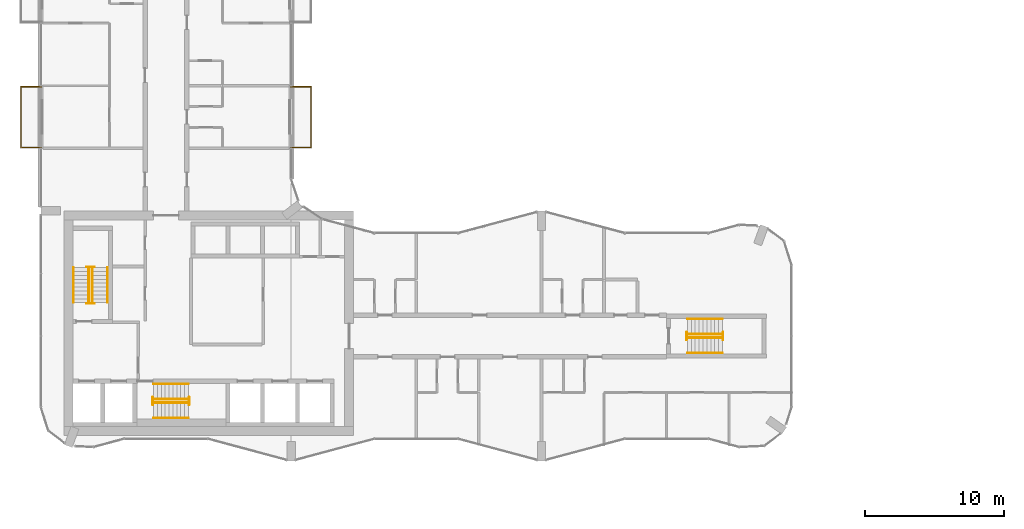
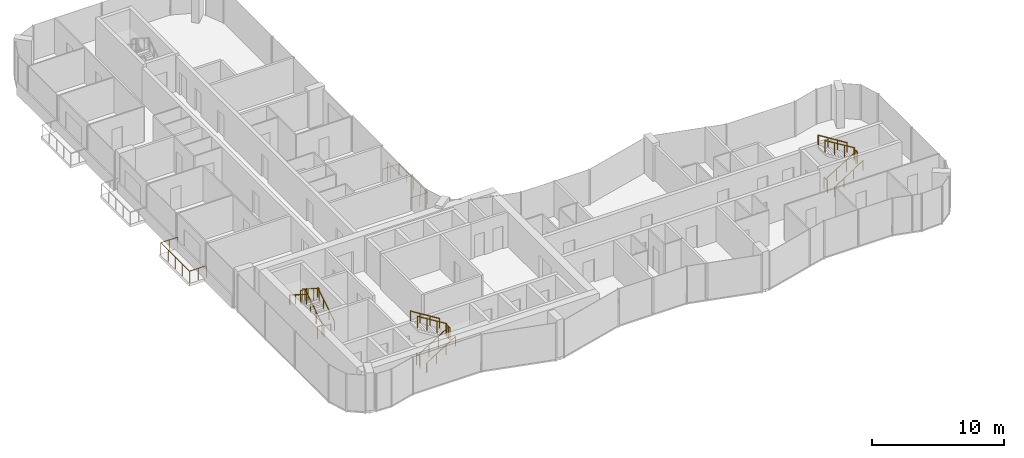
# One storey, part 20 of 22: 20 railings.
"""IFC4 building model written with IfcOpenShell, lengths in metres."""

from ifc_helpers import new_model, si_unit, direction, frame, origin, origin_2d, place, context, subcontext, project, spatial, circle, extrude, material, type_object, element, save


model = new_model("IFC4")

# Units and contexts
model_context = context("Model", 3, precision=1e-05, world=origin(), true_north=direction((0.0, 1.0)))
body_context = subcontext(model_context, "Body", "Model", "MODEL_VIEW")
ifc_project = project(units=[si_unit("LENGTHUNIT", "METRE"), si_unit("AREAUNIT", "SQUARE_METRE"), si_unit("VOLUMEUNIT", "CUBIC_METRE"), si_unit("PLANEANGLEUNIT", "RADIAN"), si_unit("MASSUNIT", "GRAM", prefix="KILO")], contexts=[model_context])

# Site, building, storey
site_placement = place(None, origin())
site = spatial("IfcSite", under=ifc_project, at=site_placement, CompositionType="ELEMENT")
building_placement = place(site_placement, origin())
building = spatial("IfcBuilding", under=site, at=building_placement, Name="Plateau Cross Towers", CompositionType="ELEMENT")
storey_placement = place(building_placement, frame((0.0, 0.0, 116.800048828125)))
storey = spatial("IfcBuildingStorey", under=building, at=storey_placement, Name="L30", CompositionType="ELEMENT", Elevation=116.800048828125)

# Railings
ifc_material_1 = material(Name="Stainless steel and toughened glass", Category="steel")
railing_type_1 = type_object("IfcRailingType", Name="Glass balustrade guard 1100", PredefinedType="GUARDRAIL", material=ifc_material_1)
railing_1_placement = place(storey_placement, frame((0.050048828125, 22.570068359375, 0.0)))
element("IfcRailing", 1, at=railing_1_placement, inside=storey, type_object=railing_type_1, Name="Guard guard1", PredefinedType="GUARDRAIL", context=body_context, shape_type="SweptSolid", body=[
    extrude(circle(Radius=0.02392578125, at=origin_2d()), frame((0.0, 0.0, 1.076171875), z_axis=(-1.0, 0.0, 0.0), x_axis=(0.0, -1.0, 0.0)), (0.0, 0.0, 1.0), 1.47998046875),
    extrude(circle(Radius=0.02392578125, at=origin_2d()), frame((-1.47998046875, 0.0, 1.076171875), z_axis=(0.0, 1.0, 0.0), x_axis=(-1.0, 0.0, 0.0)), (0.0, 0.0, 1.0), 4.35986328125),
    extrude(circle(Radius=0.02392578125, at=origin_2d()), frame((-1.47998046875, 4.35986328125, 1.076171875), z_axis=(1.0, 0.0, 0.0), x_axis=(0.0, 1.0, 0.0)), (0.0, 0.0, 1.0), 1.47998046875),
    extrude(circle(Radius=0.02099609375, at=origin_2d()), origin(), (0.0, 0.0, 1.0), 1.052001953125),
    extrude(circle(Radius=0.02099609375, at=origin_2d()), frame((-0.739990234375, 0.0, 0.0)), (0.0, 0.0, 1.0), 1.052001953125),
    extrude(circle(Radius=0.02099609375, at=origin_2d()), frame((-1.47998046875, 0.0, 0.0)), (0.0, 0.0, 1.0), 1.052001953125),
    extrude(circle(Radius=0.02099609375, at=origin_2d()), frame((-1.47998046875, 1.08984375, 0.0)), (0.0, 0.0, 1.0), 1.052001953125),
    extrude(circle(Radius=0.02099609375, at=origin_2d()), frame((-1.47998046875, 2.179931640625, 0.0)), (0.0, 0.0, 1.0), 1.052001953125),
    extrude(circle(Radius=0.02099609375, at=origin_2d()), frame((-1.47998046875, 3.27001953125, 0.0)), (0.0, 0.0, 1.0), 1.052001953125),
    extrude(circle(Radius=0.02099609375, at=origin_2d()), frame((-1.47998046875, 4.35986328125, 0.0)), (0.0, 0.0, 1.0), 1.052001953125),
    extrude(circle(Radius=0.02099609375, at=origin_2d()), frame((-0.739990234375, 4.35986328125, 0.0)), (0.0, 0.0, 1.0), 1.052001953125),
    extrude(circle(Radius=0.02099609375, at=origin_2d()), frame((0.0, 4.35986328125, 0.0)), (0.0, 0.0, 1.0), 1.052001953125),
])
railing_2_placement = place(storey_placement, frame((17.949951171875, 26.929931640625, 0.0)))
element("IfcRailing", 2, at=railing_2_placement, inside=storey, type_object=railing_type_1, Name="Guard guard1", PredefinedType="GUARDRAIL", context=body_context, shape_type="SweptSolid", body=[
    extrude(circle(Radius=0.02392578125, at=origin_2d()), frame((0.0, 0.0, 1.076171875), z_axis=(1.0, 0.0, 0.0), x_axis=(0.0, 1.0, 0.0)), (0.0, 0.0, 1.0), 1.47998046875),
    extrude(circle(Radius=0.02392578125, at=origin_2d()), frame((1.47998046875, 0.0, 1.076171875), z_axis=(0.0, -1.0, 0.0), x_axis=(1.0, 0.0, 0.0)), (0.0, 0.0, 1.0), 4.35986328125),
    extrude(circle(Radius=0.02392578125, at=origin_2d()), frame((1.47998046875, -4.35986328125, 1.076171875), z_axis=(-1.0, 0.0, 0.0), x_axis=(0.0, -1.0, 0.0)), (0.0, 0.0, 1.0), 1.47998046875),
    extrude(circle(Radius=0.02099609375, at=origin_2d()), origin(), (0.0, 0.0, 1.0), 1.052001953125),
    extrude(circle(Radius=0.02099609375, at=origin_2d()), frame((0.739990234375, 0.0, 0.0)), (0.0, 0.0, 1.0), 1.052001953125),
    extrude(circle(Radius=0.02099609375, at=origin_2d()), frame((1.47998046875, 0.0, 0.0)), (0.0, 0.0, 1.0), 1.052001953125),
    extrude(circle(Radius=0.02099609375, at=origin_2d()), frame((1.47998046875, -1.08984375, 0.0)), (0.0, 0.0, 1.0), 1.052001953125),
    extrude(circle(Radius=0.02099609375, at=origin_2d()), frame((1.47998046875, -2.179931640625, 0.0)), (0.0, 0.0, 1.0), 1.052001953125),
    extrude(circle(Radius=0.02099609375, at=origin_2d()), frame((1.47998046875, -3.27001953125, 0.0)), (0.0, 0.0, 1.0), 1.052001953125),
    extrude(circle(Radius=0.02099609375, at=origin_2d()), frame((1.47998046875, -4.35986328125, 0.0)), (0.0, 0.0, 1.0), 1.052001953125),
    extrude(circle(Radius=0.02099609375, at=origin_2d()), frame((0.739990234375, -4.35986328125, 0.0)), (0.0, 0.0, 1.0), 1.052001953125),
    extrude(circle(Radius=0.02099609375, at=origin_2d()), frame((0.0, -4.35986328125, 0.0)), (0.0, 0.0, 1.0), 1.052001953125),
])
railing_type_2 = type_object("IfcRailingType", Name="RL-GUARD-1100", PredefinedType="GUARDRAIL", material=ifc_material_1)
railing_3_placement = place(storey_placement, frame((3.699951171875, 11.39990234375, 0.175048828125)))
element("IfcRailing", 3, at=railing_3_placement, inside=storey, type_object=railing_type_2, Name="L30 ST-1 stair guard 1", PredefinedType="GUARDRAIL", context=body_context, shape_type="SweptSolid", body=[
    extrude(circle(Radius=0.02392578125, at=origin_2d()), frame((0.0, 0.0, 1.076171875), z_axis=(0.0, 0.848007534815, 0.529984170421), x_axis=(-1.0, 0.0, 0.0)), (0.0, 0.0, 1.0), 2.9716796875),
    extrude(circle(Radius=0.02099609375, at=origin_2d()), origin(), (0.0, 0.0, 1.0), 1.052001953125),
    extrude(circle(Radius=0.02099609375, at=origin_2d()), frame((0.0, 0.840087890625, 0.52490234375)), (0.0, 0.0, 1.0), 1.052001953125),
    extrude(circle(Radius=0.02099609375, at=origin_2d()), frame((0.0, 1.679931640625, 1.050048828125)), (0.0, 0.0, 1.0), 1.052001953125),
    extrude(circle(Radius=0.02099609375, at=origin_2d()), frame((0.0, 2.52001953125, 1.574951171875)), (0.0, 0.0, 1.0), 1.052001953125),
])
railing_4_placement = place(storey_placement, frame((3.85009765625, 13.969970703125, 1.75)))
element("IfcRailing", 4, at=railing_4_placement, inside=storey, type_object=railing_type_2, Name="L30 ST-1 stair guard 2", PredefinedType="GUARDRAIL", context=body_context, shape_type="SweptSolid", body=[
    extrude(circle(Radius=0.02392578125, at=origin_2d()), frame((0.0, 0.0, 1.076171875), z_axis=(-1.0, 0.0, 0.0), x_axis=(0.0, -1.0, 0.0)), (0.0, 0.0, 1.0), 0.550048828125),
    extrude(circle(Radius=0.02099609375, at=origin_2d()), origin(), (0.0, 0.0, 1.0), 1.052001953125),
    extrude(circle(Radius=0.02099609375, at=origin_2d()), frame((-0.550048828125, 0.0, 0.0)), (0.0, 0.0, 1.0), 1.052001953125),
])
railing_5_placement = place(storey_placement, frame((3.449951171875, 13.919921875, 1.925048828125)))
element("IfcRailing", 5, at=railing_5_placement, inside=storey, type_object=railing_type_2, Name="L30 ST-1 stair guard 3", PredefinedType="GUARDRAIL", context=body_context, shape_type="SweptSolid", body=[
    extrude(circle(Radius=0.02392578125, at=origin_2d()), frame((0.0, 0.0, 1.076171875), z_axis=(0.0, -0.852616386126, 0.522537365276), x_axis=(1.0, 0.0, 0.0)), (0.0, 0.0, 1.0), 3.01416015625),
    extrude(circle(Radius=0.02099609375, at=origin_2d()), origin(), (0.0, 0.0, 1.0), 1.052001953125),
    extrude(circle(Radius=0.02099609375, at=origin_2d()), frame((0.0, -0.856689453125, 0.52490234375)), (0.0, 0.0, 1.0), 1.052001953125),
    extrude(circle(Radius=0.02099609375, at=origin_2d()), frame((0.0, -1.713134765625, 1.050048828125)), (0.0, 0.0, 1.0), 1.052001953125),
    extrude(circle(Radius=0.02099609375, at=origin_2d()), frame((0.0, -2.56982421875, 1.574951171875)), (0.0, 0.0, 1.0), 1.052001953125),
])
railing_6_placement = place(storey_placement, frame((3.85009765625, 11.35009765625, 0.0)))
element("IfcRailing", 6, at=railing_6_placement, inside=storey, type_object=railing_type_2, Name="L30 ST-1 stair guard 4", PredefinedType="GUARDRAIL", context=body_context, shape_type="SweptSolid", body=[
    extrude(circle(Radius=0.02392578125, at=origin_2d()), frame((0.0, 0.0, 1.076171875), z_axis=(-1.0, 0.0, 0.0), x_axis=(0.0, -1.0, 0.0)), (0.0, 0.0, 1.0), 0.550048828125),
    extrude(circle(Radius=0.02099609375, at=origin_2d()), origin(), (0.0, 0.0, 1.0), 1.052001953125),
    extrude(circle(Radius=0.02099609375, at=origin_2d()), frame((-0.550048828125, 0.0, 0.0)), (0.0, 0.0, 1.0), 1.052001953125),
])
railing_7_placement = place(storey_placement, frame((8.10009765625, 4.199951171875, 0.175048828125)))
element("IfcRailing", 7, at=railing_7_placement, inside=storey, type_object=railing_type_2, Name="L30 ST-2 stair guard 1", PredefinedType="GUARDRAIL", context=body_context, shape_type="SweptSolid", body=[
    extrude(circle(Radius=0.02392578125, at=origin_2d()), frame((0.0, 0.0, 1.076171875), z_axis=(0.848007534815, 0.0, 0.529984170421), x_axis=(0.0, 1.0, 0.0)), (0.0, 0.0, 1.0), 2.9716796875),
    extrude(circle(Radius=0.02099609375, at=origin_2d()), origin(), (0.0, 0.0, 1.0), 1.052001953125),
    extrude(circle(Radius=0.02099609375, at=origin_2d()), frame((0.840087890625, 0.0, 0.52490234375)), (0.0, 0.0, 1.0), 1.052001953125),
    extrude(circle(Radius=0.02099609375, at=origin_2d()), frame((1.679931640625, 0.0, 1.050048828125)), (0.0, 0.0, 1.0), 1.052001953125),
    extrude(circle(Radius=0.02099609375, at=origin_2d()), frame((2.52001953125, 0.0, 1.574951171875)), (0.0, 0.0, 1.0), 1.052001953125),
])
railing_8_placement = place(storey_placement, frame((10.669921875, 4.050048828125, 1.75)))
element("IfcRailing", 8, at=railing_8_placement, inside=storey, type_object=railing_type_2, Name="L30 ST-2 stair guard 2", PredefinedType="GUARDRAIL", context=body_context, shape_type="SweptSolid", body=[
    extrude(circle(Radius=0.02392578125, at=origin_2d()), frame((0.0, 0.0, 1.076171875), z_axis=(0.0, 1.0, 0.0), x_axis=(-1.0, 0.0, 0.0)), (0.0, 0.0, 1.0), 0.550048828125),
    extrude(circle(Radius=0.02099609375, at=origin_2d()), origin(), (0.0, 0.0, 1.0), 1.052001953125),
    extrude(circle(Radius=0.02099609375, at=origin_2d()), frame((0.0, 0.550048828125, 0.0)), (0.0, 0.0, 1.0), 1.052001953125),
])
railing_9_placement = place(storey_placement, frame((10.6201171875, 4.449951171875, 1.925048828125)))
element("IfcRailing", 9, at=railing_9_placement, inside=storey, type_object=railing_type_2, Name="L30 ST-2 stair guard 3", PredefinedType="GUARDRAIL", context=body_context, shape_type="SweptSolid", body=[
    extrude(circle(Radius=0.02392578125, at=origin_2d()), frame((0.0, 0.0, 1.076171875), z_axis=(-0.852638500773, 0.0, 0.522501279423), x_axis=(0.0, -1.0, 0.0)), (0.0, 0.0, 1.0), 3.01416015625),
    extrude(circle(Radius=0.02099609375, at=origin_2d()), origin(), (0.0, 0.0, 1.0), 1.052001953125),
    extrude(circle(Radius=0.02099609375, at=origin_2d()), frame((-0.856689453125, 0.0, 0.52490234375)), (0.0, 0.0, 1.0), 1.052001953125),
    extrude(circle(Radius=0.02099609375, at=origin_2d()), frame((-1.71337890625, 0.0, 1.050048828125)), (0.0, 0.0, 1.0), 1.052001953125),
    extrude(circle(Radius=0.02099609375, at=origin_2d()), frame((-2.570068359375, 0.0, 1.574951171875)), (0.0, 0.0, 1.0), 1.052001953125),
])
railing_10_placement = place(storey_placement, frame((8.050048828125, 4.050048828125, 0.0)))
element("IfcRailing", 10, at=railing_10_placement, inside=storey, type_object=railing_type_2, Name="L30 ST-2 stair guard 4", PredefinedType="GUARDRAIL", context=body_context, shape_type="SweptSolid", body=[
    extrude(circle(Radius=0.02392578125, at=origin_2d()), frame((0.0, 0.0, 1.076171875), z_axis=(0.0, 1.0, 0.0), x_axis=(-1.0, 0.0, 0.0)), (0.0, 0.0, 1.0), 0.550048828125),
    extrude(circle(Radius=0.02099609375, at=origin_2d()), origin(), (0.0, 0.0, 1.0), 1.052001953125),
    extrude(circle(Radius=0.02099609375, at=origin_2d()), frame((0.0, 0.550048828125, 0.0)), (0.0, 0.0, 1.0), 1.052001953125),
])
railing_11_placement = place(storey_placement, frame((46.5, 8.875, 0.175048828125)))
element("IfcRailing", 11, at=railing_11_placement, inside=storey, type_object=railing_type_2, Name="L30 ES-E stair guard 1", PredefinedType="GUARDRAIL", context=body_context, shape_type="SweptSolid", body=[
    extrude(circle(Radius=0.02392578125, at=origin_2d()), frame((0.0, 0.0, 1.076171875), z_axis=(0.848007534815, 0.0, 0.529984170421), x_axis=(0.0, 1.0, 0.0)), (0.0, 0.0, 1.0), 2.9716796875),
    extrude(circle(Radius=0.02099609375, at=origin_2d()), origin(), (0.0, 0.0, 1.0), 1.052001953125),
    extrude(circle(Radius=0.02099609375, at=origin_2d()), frame((0.840087890625, 0.0, 0.52490234375)), (0.0, 0.0, 1.0), 1.052001953125),
    extrude(circle(Radius=0.02099609375, at=origin_2d()), frame((1.679931640625, 0.0, 1.050048828125)), (0.0, 0.0, 1.0), 1.052001953125),
    extrude(circle(Radius=0.02099609375, at=origin_2d()), frame((2.52001953125, 0.0, 1.574951171875)), (0.0, 0.0, 1.0), 1.052001953125),
])
railing_12_placement = place(storey_placement, frame((49.070068359375, 8.72509765625, 1.75)))
element("IfcRailing", 12, at=railing_12_placement, inside=storey, type_object=railing_type_2, Name="L30 ES-E stair guard 2", PredefinedType="GUARDRAIL", context=body_context, shape_type="SweptSolid", body=[
    extrude(circle(Radius=0.02392578125, at=origin_2d()), frame((0.0, 0.0, 1.076171875), z_axis=(0.0, 1.0, 0.0), x_axis=(-1.0, 0.0, 0.0)), (0.0, 0.0, 1.0), 0.5498046875),
    extrude(circle(Radius=0.02099609375, at=origin_2d()), origin(), (0.0, 0.0, 1.0), 1.052001953125),
    extrude(circle(Radius=0.02099609375, at=origin_2d()), frame((0.0, 0.5498046875, 0.0)), (0.0, 0.0, 1.0), 1.052001953125),
])
railing_13_placement = place(storey_placement, frame((49.02001953125, 9.125, 1.925048828125)))
element("IfcRailing", 13, at=railing_13_placement, inside=storey, type_object=railing_type_2, Name="L30 ES-E stair guard 3", PredefinedType="GUARDRAIL", context=body_context, shape_type="SweptSolid", body=[
    extrude(circle(Radius=0.02392578125, at=origin_2d()), frame((0.0, 0.0, 1.076171875), z_axis=(-0.852638500773, 0.0, 0.522501279423), x_axis=(0.0, -1.0, 0.0)), (0.0, 0.0, 1.0), 3.01416015625),
    extrude(circle(Radius=0.02099609375, at=origin_2d()), origin(), (0.0, 0.0, 1.0), 1.052001953125),
    extrude(circle(Radius=0.02099609375, at=origin_2d()), frame((-0.856689453125, 0.0, 0.52490234375)), (0.0, 0.0, 1.0), 1.052001953125),
    extrude(circle(Radius=0.02099609375, at=origin_2d()), frame((-1.71337890625, 0.0, 1.050048828125)), (0.0, 0.0, 1.0), 1.052001953125),
    extrude(circle(Radius=0.02099609375, at=origin_2d()), frame((-2.570068359375, 0.0, 1.574951171875)), (0.0, 0.0, 1.0), 1.052001953125),
])
railing_14_placement = place(storey_placement, frame((46.449951171875, 8.72509765625, 0.0)))
element("IfcRailing", 14, at=railing_14_placement, inside=storey, type_object=railing_type_2, Name="L30 ES-E stair guard 4", PredefinedType="GUARDRAIL", context=body_context, shape_type="SweptSolid", body=[
    extrude(circle(Radius=0.02392578125, at=origin_2d()), frame((0.0, 0.0, 1.076171875), z_axis=(0.0, 1.0, 0.0), x_axis=(-1.0, 0.0, 0.0)), (0.0, 0.0, 1.0), 0.5498046875),
    extrude(circle(Radius=0.02099609375, at=origin_2d()), origin(), (0.0, 0.0, 1.0), 1.052001953125),
    extrude(circle(Radius=0.02099609375, at=origin_2d()), frame((0.0, 0.5498046875, 0.0)), (0.0, 0.0, 1.0), 1.052001953125),
])
ifc_material_2 = material(Name="Black anodised aluminium", Category="aluminium")
railing_type_3 = type_object("IfcRailingType", Name="RL-HANDRAIL-900", PredefinedType="HANDRAIL", material=ifc_material_2)
railing_15_placement = place(storey_placement, frame((4.800048828125, 11.39990234375, 0.175048828125)))
element("IfcRailing", 15, at=railing_15_placement, inside=storey, type_object=railing_type_3, Name="L30 ST-1 stair handrail 1", PredefinedType="HANDRAIL", context=body_context, shape_type="SweptSolid", body=[
    extrude(circle(Radius=0.02392578125, at=origin_2d()), frame((0.0, 0.0, 0.8759765625), z_axis=(0.0, 0.848007534815, 0.529984170421), x_axis=(-1.0, 0.0, 0.0)), (0.0, 0.0, 1.0), 2.9716796875),
    extrude(circle(Radius=0.02099609375, at=origin_2d()), origin(), (0.0, 0.0, 1.0), 0.851806640625),
    extrude(circle(Radius=0.02099609375, at=origin_2d()), frame((0.0, 0.840087890625, 0.52490234375)), (0.0, 0.0, 1.0), 0.851806640625),
    extrude(circle(Radius=0.02099609375, at=origin_2d()), frame((0.0, 1.679931640625, 1.050048828125)), (0.0, 0.0, 1.0), 0.851806640625),
    extrude(circle(Radius=0.02099609375, at=origin_2d()), frame((0.0, 2.52001953125, 1.574951171875)), (0.0, 0.0, 1.0), 0.851806640625),
])
railing_16_placement = place(storey_placement, frame((2.35009765625, 13.919921875, 1.925048828125)))
element("IfcRailing", 16, at=railing_16_placement, inside=storey, type_object=railing_type_3, Name="L30 ST-1 stair handrail 2", PredefinedType="HANDRAIL", context=body_context, shape_type="SweptSolid", body=[
    extrude(circle(Radius=0.02392578125, at=origin_2d()), frame((0.0, 0.0, 0.8759765625), z_axis=(0.0, -0.848007534815, 0.529984170421), x_axis=(1.0, 0.0, 0.0)), (0.0, 0.0, 1.0), 2.9716796875),
    extrude(circle(Radius=0.02099609375, at=origin_2d()), origin(), (0.0, 0.0, 1.0), 0.851806640625),
    extrude(circle(Radius=0.02099609375, at=origin_2d()), frame((0.0, -0.840087890625, 0.52490234375)), (0.0, 0.0, 1.0), 0.851806640625),
    extrude(circle(Radius=0.02099609375, at=origin_2d()), frame((0.0, -1.679931640625, 1.050048828125)), (0.0, 0.0, 1.0), 0.851806640625),
    extrude(circle(Radius=0.02099609375, at=origin_2d()), frame((0.0, -2.52001953125, 1.574951171875)), (0.0, 0.0, 1.0), 0.851806640625),
])
railing_17_placement = place(storey_placement, frame((8.10009765625, 3.10009765625, 0.175048828125)))
element("IfcRailing", 17, at=railing_17_placement, inside=storey, type_object=railing_type_3, Name="L30 ST-2 stair handrail 1", PredefinedType="HANDRAIL", context=body_context, shape_type="SweptSolid", body=[
    extrude(circle(Radius=0.02392578125, at=origin_2d()), frame((0.0, 0.0, 0.8759765625), z_axis=(0.848007534815, 0.0, 0.529984170421), x_axis=(0.0, 1.0, 0.0)), (0.0, 0.0, 1.0), 2.9716796875),
    extrude(circle(Radius=0.02099609375, at=origin_2d()), origin(), (0.0, 0.0, 1.0), 0.851806640625),
    extrude(circle(Radius=0.02099609375, at=origin_2d()), frame((0.840087890625, 0.0, 0.52490234375)), (0.0, 0.0, 1.0), 0.851806640625),
    extrude(circle(Radius=0.02099609375, at=origin_2d()), frame((1.679931640625, 0.0, 1.050048828125)), (0.0, 0.0, 1.0), 0.851806640625),
    extrude(circle(Radius=0.02099609375, at=origin_2d()), frame((2.52001953125, 0.0, 1.574951171875)), (0.0, 0.0, 1.0), 0.851806640625),
])
railing_18_placement = place(storey_placement, frame((10.6201171875, 5.550048828125, 1.925048828125)))
element("IfcRailing", 18, at=railing_18_placement, inside=storey, type_object=railing_type_3, Name="L30 ST-2 stair handrail 2", PredefinedType="HANDRAIL", context=body_context, shape_type="SweptSolid", body=[
    extrude(circle(Radius=0.02392578125, at=origin_2d()), frame((0.0, 0.0, 0.8759765625), z_axis=(-0.848007534815, 0.0, 0.529984170421), x_axis=(0.0, -1.0, 0.0)), (0.0, 0.0, 1.0), 2.9716796875),
    extrude(circle(Radius=0.02099609375, at=origin_2d()), origin(), (0.0, 0.0, 1.0), 0.851806640625),
    extrude(circle(Radius=0.02099609375, at=origin_2d()), frame((-0.840087890625, 0.0, 0.52490234375)), (0.0, 0.0, 1.0), 0.851806640625),
    extrude(circle(Radius=0.02099609375, at=origin_2d()), frame((-1.679931640625, 0.0, 1.050048828125)), (0.0, 0.0, 1.0), 0.851806640625),
    extrude(circle(Radius=0.02099609375, at=origin_2d()), frame((-2.52001953125, 0.0, 1.574951171875)), (0.0, 0.0, 1.0), 0.851806640625),
])
railing_19_placement = place(storey_placement, frame((46.5, 7.77490234375, 0.175048828125)))
element("IfcRailing", 19, at=railing_19_placement, inside=storey, type_object=railing_type_3, Name="L30 ES-E stair handrail 1", PredefinedType="HANDRAIL", context=body_context, shape_type="SweptSolid", body=[
    extrude(circle(Radius=0.02392578125, at=origin_2d()), frame((0.0, 0.0, 0.8759765625), z_axis=(0.848007534815, 0.0, 0.529984170421), x_axis=(0.0, 1.0, 0.0)), (0.0, 0.0, 1.0), 2.9716796875),
    extrude(circle(Radius=0.02099609375, at=origin_2d()), origin(), (0.0, 0.0, 1.0), 0.851806640625),
    extrude(circle(Radius=0.02099609375, at=origin_2d()), frame((0.840087890625, 0.0, 0.52490234375)), (0.0, 0.0, 1.0), 0.851806640625),
    extrude(circle(Radius=0.02099609375, at=origin_2d()), frame((1.679931640625, 0.0, 1.050048828125)), (0.0, 0.0, 1.0), 0.851806640625),
    extrude(circle(Radius=0.02099609375, at=origin_2d()), frame((2.52001953125, 0.0, 1.574951171875)), (0.0, 0.0, 1.0), 0.851806640625),
])
railing_20_placement = place(storey_placement, frame((49.02001953125, 10.22509765625, 1.925048828125)))
element("IfcRailing", 20, at=railing_20_placement, inside=storey, type_object=railing_type_3, Name="L30 ES-E stair handrail 2", PredefinedType="HANDRAIL", context=body_context, shape_type="SweptSolid", body=[
    extrude(circle(Radius=0.02392578125, at=origin_2d()), frame((0.0, 0.0, 0.8759765625), z_axis=(-0.848007534815, 0.0, 0.529984170421), x_axis=(0.0, -1.0, 0.0)), (0.0, 0.0, 1.0), 2.9716796875),
    extrude(circle(Radius=0.02099609375, at=origin_2d()), origin(), (0.0, 0.0, 1.0), 0.851806640625),
    extrude(circle(Radius=0.02099609375, at=origin_2d()), frame((-0.840087890625, 0.0, 0.52490234375)), (0.0, 0.0, 1.0), 0.851806640625),
    extrude(circle(Radius=0.02099609375, at=origin_2d()), frame((-1.679931640625, 0.0, 1.050048828125)), (0.0, 0.0, 1.0), 0.851806640625),
    extrude(circle(Radius=0.02099609375, at=origin_2d()), frame((-2.52001953125, 0.0, 1.574951171875)), (0.0, 0.0, 1.0), 0.851806640625),
])

save(model, "model.ifc")
